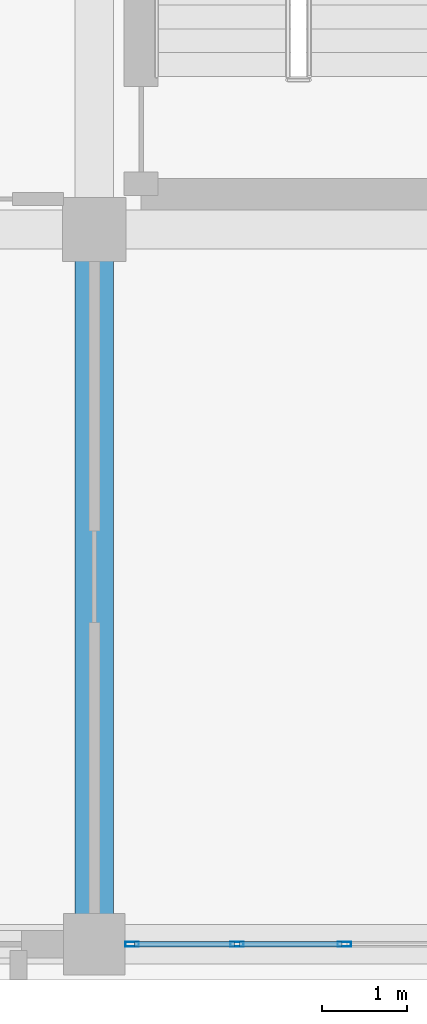
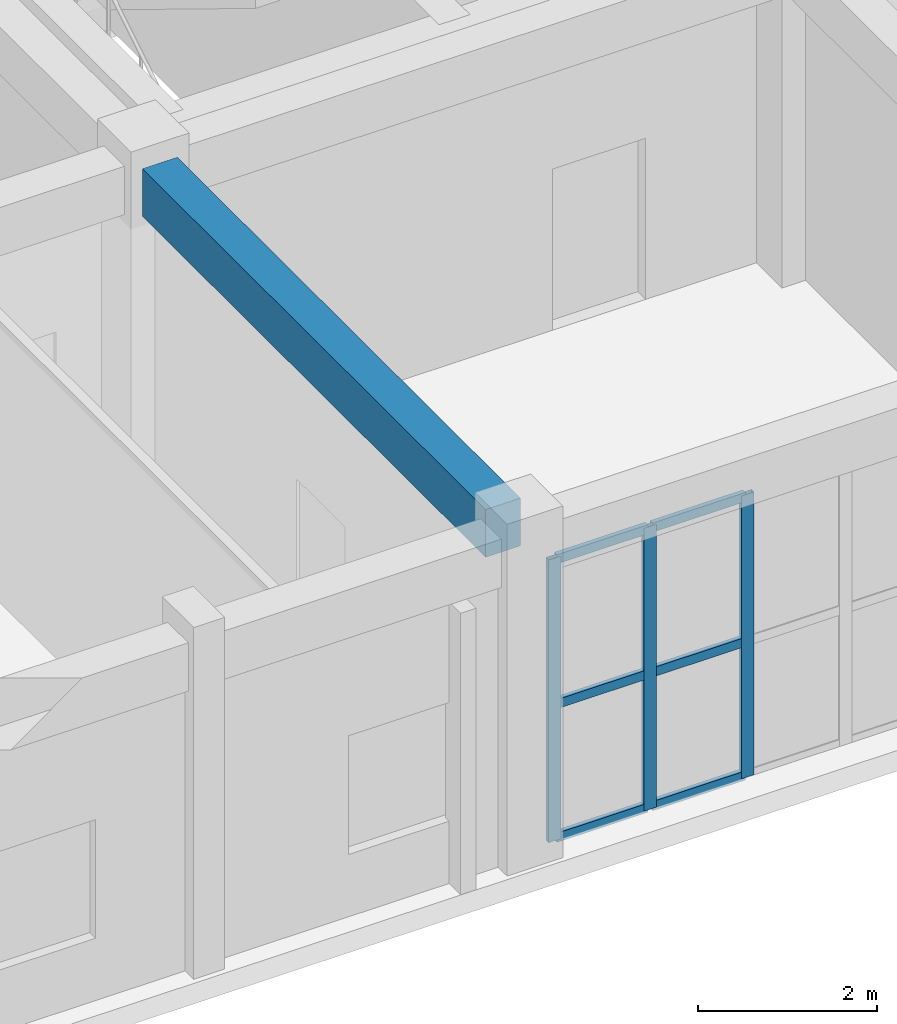
# One storey, part 30 of 158: 9 members, 1 beam, 1 element without a shape of its own.
"""IFC4 building model written with IfcOpenShell, lengths in metres."""

from ifc_helpers import new_model, si_unit, direction, frame, origin, origin_2d, place, context, subcontext, project, spatial, rectangle, hollow_rectangle, extrude, material, layer, layer_set, material_profile, profile_set, type_object, element, aggregate, save


model = new_model("IFC4")

# Units and contexts
model_context = context("Model", 3, precision=1e-05, world=origin(), true_north=direction((0.0, 1.0)))
body_context = subcontext(model_context, "Body", "Model", "MODEL_VIEW")
ifc_project = project(units=[si_unit("LENGTHUNIT", "METRE"), si_unit("AREAUNIT", "SQUARE_METRE"), si_unit("VOLUMEUNIT", "CUBIC_METRE"), si_unit("PLANEANGLEUNIT", "RADIAN"), si_unit("MASSUNIT", "GRAM", prefix="KILO")], contexts=[model_context])

# Site, building, storey
site_placement = place(None, origin())
site = spatial("IfcSite", under=ifc_project, at=site_placement, CompositionType="ELEMENT")
building_placement = place(site_placement, origin())
building = spatial("IfcBuilding", under=site, at=building_placement, Name="Trelvath General Hospital", CompositionType="ELEMENT")
storey_placement = place(building_placement, frame((0.0, 0.0, 8.10009765625)))
storey = spatial("IfcBuildingStorey", under=building, at=storey_placement, Name="L02", CompositionType="ELEMENT", Elevation=8.10009765625)

# Beam
ifc_material_1 = material(Name="Concrete C35/45", Category="concrete")
ifc_material_profile_1 = material_profile(ifc_material_1, rectangle(XDim=0.449951171875, YDim=0.64990234375, at=origin_2d()), Name="RCB450x650")
ifc_profile_set_1 = profile_set([ifc_material_profile_1], Name="Concrete C35/45")
beam_type = type_object("IfcBeamType", Name="Beam RC450x650", PredefinedType="BEAM", material=ifc_profile_set_1)
beam_placement = place(storey_placement, frame((92.39990234375, 0.35498046875, 4.19482421875), z_axis=(0.0, 1.0, 0.0), x_axis=(-1.0, 0.0, 0.0)))
element("IfcBeam", 1, at=beam_placement, inside=storey, type_object=beam_type, Name="Grid Beam BY-211A", PredefinedType="BEAM", context=body_context, shape_type="SweptSolid", body=[
    extrude(rectangle(XDim=0.449951171875, YDim=0.64990234375, at=origin_2d()), origin(), (0.0, 0.0, 1.0), 7.675048828125),
])

# Curtain wall, members
ifc_material_2 = material(Name="Anodised aluminium and low-E glass", Category="aluminium")
ifc_layer = layer(ifc_material_2, 0.159912109375)
ifc_layer_set = layer_set([ifc_layer], Name="Anodised aluminium and low-E glass")
curtain_wall_type = type_object("IfcCurtainWallType", Name="CW Facade 757 386 16", PredefinedType="USERDEFINED", material=ifc_layer_set)
curtain_wall_placement = place(storey_placement, origin())
curtain_wall = element("IfcCurtainWall", 2, at=curtain_wall_placement, inside=storey, type_object=curtain_wall_type, Name="Facade Curtain Wall CW-044", ObjectType="Unitised Glazed Curtain Wall", PredefinedType="USERDEFINED")
ifc_material_3 = material(Name="Anodised aluminium", Category="aluminium")
ifc_material_profile_2 = material_profile(ifc_material_3, hollow_rectangle(XDim=0.06005859375, YDim=0.159912109375, WallThickness=0.00390625, at=origin_2d()), Name="RHS60x160x4")
ifc_profile_set_2 = profile_set([ifc_material_profile_2], Name="Anodised aluminium")
member_type_1 = type_object("IfcMemberType", Name="CurtainMullion 60x160", PredefinedType="MULLION", material=ifc_profile_set_2)
member_1_placement = place(storey_placement, frame((95.33837890625, 0.0, 0.0), z_axis=(0.0, 0.0, 1.0), x_axis=(0.0, -1.0, 0.0)))
member_1 = element("IfcMember", 3, at=member_1_placement, type_object=member_type_1, Name="CW-044 mullion 5", PredefinedType="MULLION", context=body_context, shape_type="SweptSolid", body=[
    extrude(hollow_rectangle(XDim=0.06005859375, YDim=0.159912109375, WallThickness=0.00390625, at=origin_2d()), origin(), (0.0, 0.0, 1.0), 3.85986328125),
])
member_2_placement = place(storey_placement, frame((94.07666015625, 0.0, 0.0), z_axis=(0.0, 0.0, 1.0), x_axis=(0.0, -1.0, 0.0)))
member_2 = element("IfcMember", 4, at=member_2_placement, type_object=member_type_1, Name="CW-044 mullion 6", PredefinedType="MULLION", context=body_context, shape_type="SweptSolid", body=[
    extrude(hollow_rectangle(XDim=0.06005859375, YDim=0.159912109375, WallThickness=0.00390625, at=origin_2d()), origin(), (0.0, 0.0, 1.0), 3.85986328125),
])
member_3_placement = place(storey_placement, frame((92.844970703125, 0.0, 0.0), z_axis=(0.0, 0.0, 1.0), x_axis=(0.0, -1.0, 0.0)))
member_3 = element("IfcMember", 5, at=member_3_placement, type_object=member_type_1, Name="CW-044 mullion 7", PredefinedType="MULLION", context=body_context, shape_type="SweptSolid", body=[
    extrude(hollow_rectangle(XDim=0.06005859375, YDim=0.159912109375, WallThickness=0.00390625, at=origin_2d()), origin(), (0.0, 0.0, 1.0), 3.85986328125),
])
ifc_material_4 = material(Name="Anodised aluminium", Category="aluminium")
ifc_material_profile_3 = material_profile(ifc_material_4, hollow_rectangle(XDim=0.06005859375, YDim=0.125, WallThickness=0.00390625, at=origin_2d()), Name="RHS60x125x4")
ifc_profile_set_3 = profile_set([ifc_material_profile_3], Name="Anodised aluminium")
member_type_2 = type_object("IfcMemberType", Name="CurtainTransom 60x125", PredefinedType="USERDEFINED", material=ifc_profile_set_3)
member_4_placement = place(storey_placement, frame((95.308349609375, 0.0, 0.02978515625), z_axis=(-1.0, 0.0, 0.0), x_axis=(0.0, -1.0, 0.0)))
member_4 = element("IfcMember", 6, at=member_4_placement, type_object=member_type_2, Name="CW-044 transom 5.1", ObjectType="TRANSOM", PredefinedType="USERDEFINED", context=body_context, shape_type="SweptSolid", body=[
    extrude(hollow_rectangle(XDim=0.06005859375, YDim=0.125, WallThickness=0.00390625, at=origin_2d()), origin(), (0.0, 0.0, 1.0), 1.20166015625),
])
member_5_placement = place(storey_placement, frame((95.308349609375, 0.0, 1.852783203125), z_axis=(-1.0, 0.0, 0.0), x_axis=(0.0, -1.0, 0.0)))
member_5 = element("IfcMember", 7, at=member_5_placement, type_object=member_type_2, Name="CW-044 transom 5.2", ObjectType="TRANSOM", PredefinedType="USERDEFINED", context=body_context, shape_type="SweptSolid", body=[
    extrude(hollow_rectangle(XDim=0.06005859375, YDim=0.125, WallThickness=0.00390625, at=origin_2d()), origin(), (0.0, 0.0, 1.0), 1.20166015625),
])
member_6_placement = place(storey_placement, frame((95.308349609375, 0.0, 3.829833984375), z_axis=(-1.0, 0.0, 0.0), x_axis=(0.0, -1.0, 0.0)))
member_6 = element("IfcMember", 8, at=member_6_placement, type_object=member_type_2, Name="CW-044 transom 5.3", ObjectType="TRANSOM", PredefinedType="USERDEFINED", context=body_context, shape_type="SweptSolid", body=[
    extrude(hollow_rectangle(XDim=0.06005859375, YDim=0.125, WallThickness=0.00390625, at=origin_2d()), origin(), (0.0, 0.0, 1.0), 1.20166015625),
])
member_7_placement = place(storey_placement, frame((94.046630859375, 0.0, 0.02978515625), z_axis=(-1.0, 0.0, 0.0), x_axis=(0.0, -1.0, 0.0)))
member_7 = element("IfcMember", 9, at=member_7_placement, type_object=member_type_2, Name="CW-044 transom 6.1", ObjectType="TRANSOM", PredefinedType="USERDEFINED", context=body_context, shape_type="SweptSolid", body=[
    extrude(hollow_rectangle(XDim=0.06005859375, YDim=0.125, WallThickness=0.00390625, at=origin_2d()), origin(), (0.0, 0.0, 1.0), 1.171630859375),
])
member_8_placement = place(storey_placement, frame((94.046630859375, 0.0, 1.852783203125), z_axis=(-1.0, 0.0, 0.0), x_axis=(0.0, -1.0, 0.0)))
member_8 = element("IfcMember", 10, at=member_8_placement, type_object=member_type_2, Name="CW-044 transom 6.2", ObjectType="TRANSOM", PredefinedType="USERDEFINED", context=body_context, shape_type="SweptSolid", body=[
    extrude(hollow_rectangle(XDim=0.06005859375, YDim=0.125, WallThickness=0.00390625, at=origin_2d()), origin(), (0.0, 0.0, 1.0), 1.171630859375),
])
member_9_placement = place(storey_placement, frame((94.046630859375, 0.0, 3.829833984375), z_axis=(-1.0, 0.0, 0.0), x_axis=(0.0, -1.0, 0.0)))
member_9 = element("IfcMember", 11, at=member_9_placement, type_object=member_type_2, Name="CW-044 transom 6.3", ObjectType="TRANSOM", PredefinedType="USERDEFINED", context=body_context, shape_type="SweptSolid", body=[
    extrude(hollow_rectangle(XDim=0.06005859375, YDim=0.125, WallThickness=0.00390625, at=origin_2d()), origin(), (0.0, 0.0, 1.0), 1.171630859375),
])
aggregate(curtain_wall, [member_1, member_2, member_3, member_4, member_5, member_6, member_7, member_8, member_9])

save(model, "model.ifc")
